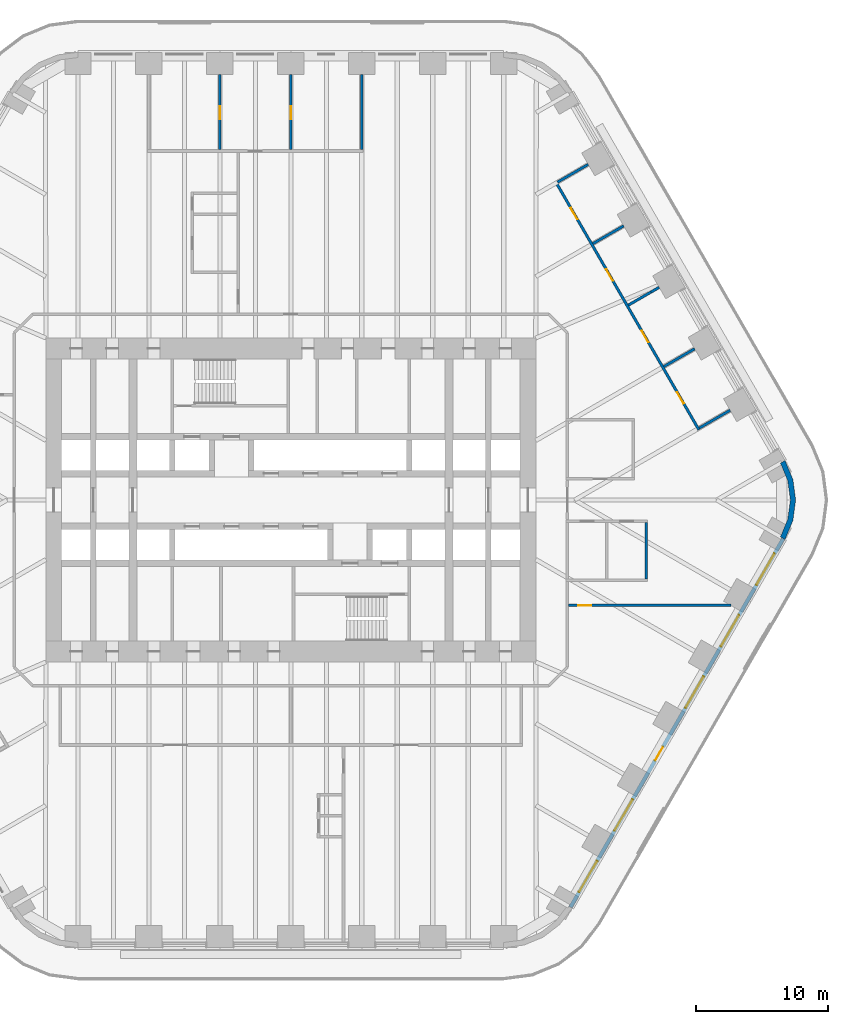
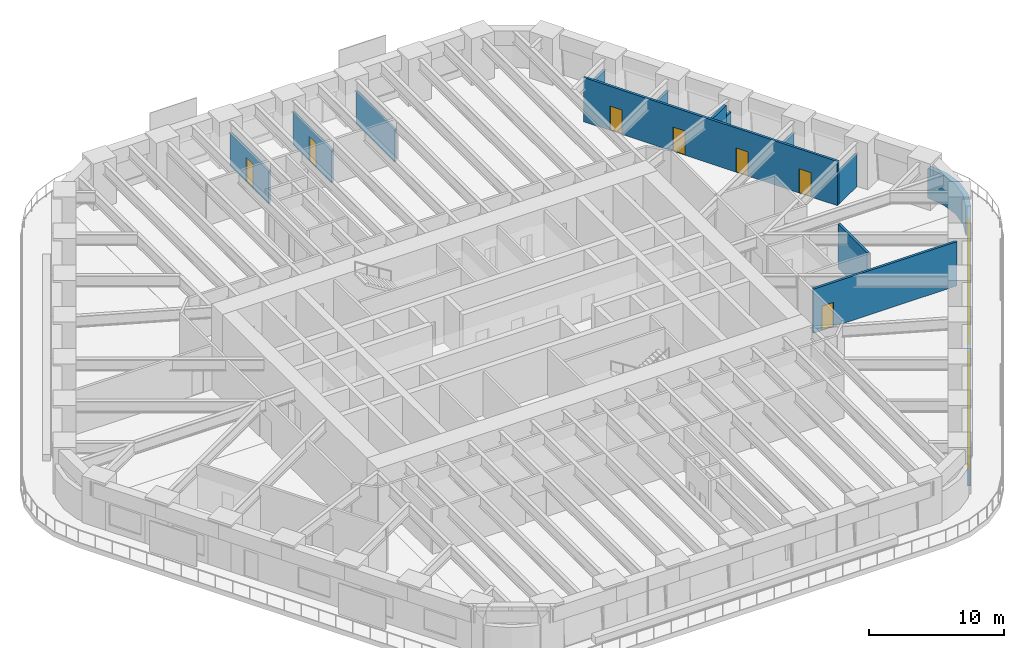
# One storey, part 20 of 24: 14 walls, 8 doors, 5 windows, 13 openings.
"""IFC4 building model written with IfcOpenShell, lengths in metres."""

from ifc_helpers import new_model, si_unit, direction, frame, frame_2d, origin, place, context, subcontext, project, spatial, polyline, rectangle, outline, extrude, material, layer, layer_set, type_object, element, fill, save


model = new_model("IFC4")

# Units and contexts
model_context = context("Model", 3, precision=1e-05, world=origin(), true_north=direction((0.0, 1.0)))
body_context = subcontext(model_context, "Body", "Model", "MODEL_VIEW")
ifc_project = project(units=[si_unit("LENGTHUNIT", "METRE"), si_unit("AREAUNIT", "SQUARE_METRE"), si_unit("VOLUMEUNIT", "CUBIC_METRE"), si_unit("PLANEANGLEUNIT", "RADIAN"), si_unit("MASSUNIT", "GRAM", prefix="KILO")], contexts=[model_context])

# Site, building, storey
site_placement = place(None, origin())
site = spatial("IfcSite", under=ifc_project, at=site_placement, CompositionType="ELEMENT")
building_placement = place(site_placement, origin())
building = spatial("IfcBuilding", under=site, at=building_placement, Name="Tarfa Lantern Tower", CompositionType="ELEMENT")
storey_placement = place(building_placement, frame((0.0, 0.0, 73.89990234375)))
storey = spatial("IfcBuildingStorey", under=building, at=storey_placement, Name="L16", CompositionType="ELEMENT", Elevation=73.89990234375)

# Wall, openings, door, windows
ifc_material_1 = material(Name="Limestone cladding on blockwork", Category="masonry")
ifc_layer_1 = layer(ifc_material_1, 0.300048828125)
ifc_layer_set_1 = layer_set([ifc_layer_1], Name="EW1 STONE-CLAD WALL 300")
wall_type_1 = type_object("IfcWallType", Name="EW1 STONE-CLAD WALL 300", PredefinedType="SOLIDWALL", material=ifc_layer_set_1)
wall_1_placement = place(storey_placement, frame((21.232177734375, -30.925048828125, 0.0), z_axis=(0.0, 0.0, 1.0), x_axis=(0.499999163675, 0.866025886636, 0.0)))
wall_1 = element("IfcWall", 1, at=wall_1_placement, inside=storey, type_object=wall_type_1, Name="Stone wall SE", PredefinedType="SOLIDWALL", context=body_context, shape_type="SweptSolid", body=[
    extrude(rectangle(XDim=32.33154296875, YDim=0.300048828125, at=frame_2d((16.165771484375, 0.0))), origin(), (0.0, 0.0, 1.0), 2.7001953125),
])
opening_1_placement = place(wall_1_placement, frame((1.3193359375, 0.0, 0.60009765625)))
opening_1 = element("IfcOpeningElement", 2, at=opening_1_placement, cuts=wall_1, Name="Opening W2", PredefinedType="OPENING", context=body_context, shape_type="SweptSolid", body=[
    extrude(rectangle(XDim=2.75, YDim=1.85009765625, at=frame_2d((1.375, 0.925048828125))), frame((0.0, 0.159912109375, 0.0), z_axis=(0.0, -1.0, 0.0), x_axis=(1.0, 0.0, 0.0)), (0.0, 0.0, 1.0), 0.320068359375),
])
opening_2_placement = place(wall_1_placement, frame((6.7080078125, 0.0, 0.60009765625)))
opening_2 = element("IfcOpeningElement", 3, at=opening_2_placement, cuts=wall_1, Name="Opening W2", PredefinedType="OPENING", context=body_context, shape_type="SweptSolid", body=[
    extrude(rectangle(XDim=2.75, YDim=1.85009765625, at=frame_2d((1.375, 0.925048828125))), frame((0.0, 0.159912109375, 0.0), z_axis=(0.0, -1.0, 0.0), x_axis=(1.0, 0.0, 0.0)), (0.0, 0.0, 1.0), 0.320068359375),
])
opening_3_placement = place(wall_1_placement, frame((12.87158203125, 0.0, 0.0)))
opening_3 = element("IfcOpeningElement", 4, at=opening_3_placement, cuts=wall_1, Name="Opening D55", PredefinedType="OPENING", context=body_context, shape_type="SweptSolid", body=[
    extrude(rectangle(XDim=1.199951171875, YDim=2.39990234375, at=frame_2d((0.60009765625, 1.199951171875))), frame((0.0, 0.159912109375, 0.0), z_axis=(0.0, -1.0, 0.0), x_axis=(1.0, 0.0, 0.0)), (0.0, 0.0, 1.0), 0.320068359375),
])
opening_4_placement = place(wall_1_placement, frame((17.485107421875, 0.0, 0.60009765625)))
opening_4 = element("IfcOpeningElement", 5, at=opening_4_placement, cuts=wall_1, Name="Opening W2", PredefinedType="OPENING", context=body_context, shape_type="SweptSolid", body=[
    extrude(rectangle(XDim=2.75, YDim=1.85009765625, at=frame_2d((1.375, 0.925048828125))), frame((0.0, 0.159912109375, 0.0), z_axis=(0.0, -1.0, 0.0), x_axis=(1.0, 0.0, 0.0)), (0.0, 0.0, 1.0), 0.320068359375),
])
opening_5_placement = place(wall_1_placement, frame((22.873779296875, 0.0, 0.60009765625)))
opening_5 = element("IfcOpeningElement", 6, at=opening_5_placement, cuts=wall_1, Name="Opening W2", PredefinedType="OPENING", context=body_context, shape_type="SweptSolid", body=[
    extrude(rectangle(XDim=2.75, YDim=1.85009765625, at=frame_2d((1.375, 0.925048828125))), frame((0.0, 0.159912109375, 0.0), z_axis=(0.0, -1.0, 0.0), x_axis=(1.0, 0.0, 0.0)), (0.0, 0.0, 1.0), 0.320068359375),
])
opening_6_placement = place(wall_1_placement, frame((28.26220703125, 0.0, 0.60009765625)))
opening_6 = element("IfcOpeningElement", 7, at=opening_6_placement, cuts=wall_1, Name="Opening W2", PredefinedType="OPENING", context=body_context, shape_type="SweptSolid", body=[
    extrude(rectangle(XDim=2.75, YDim=1.85009765625, at=frame_2d((1.375, 0.925048828125))), frame((0.0, 0.159912109375, 0.0), z_axis=(0.0, -1.0, 0.0), x_axis=(1.0, 0.0, 0.0)), (0.0, 0.0, 1.0), 0.320068359375),
])
ifc_material_2 = material(Name="Aluminium framed glazed door", Category="aluminium")
door_type_1 = type_object("IfcDoorType", Name="BE3 BALCONY DOOR 1200x2400", OperationType="SINGLE_SWING_RIGHT", PredefinedType="DOOR", material=ifc_material_2)
door_1_placement = place(opening_3_placement, origin())
door_1 = element("IfcDoor", 8, at=door_1_placement, inside=storey, type_object=door_type_1, Name="Balcony door SE", OperationType="SINGLE_SWING_RIGHT", OverallHeight=2.39990234375, OverallWidth=1.199951171875, PredefinedType="DOOR", context=body_context, shape_type="SweptSolid", body=[
    extrude(rectangle(XDim=1.199951171875, YDim=2.39990234375, at=frame_2d((0.60009765625, 1.199951171875))), frame((0.0, 0.02490234375, 0.0), z_axis=(0.0, -1.0, 0.0), x_axis=(1.0, 0.0, 0.0)), (0.0, 0.0, 1.0), 0.050048828125),
])
fill(opening_3, door_1)
ifc_material_3 = material(Name="Aluminium frame, double glazed", Category="aluminium")
window_type = type_object("IfcWindowType", Name="W2 FULL-HEIGHT GLAZING 2750x1850", PartitioningType="SINGLE_PANEL", PredefinedType="WINDOW", material=ifc_material_3)
window_1_placement = place(opening_1_placement, origin())
window_1 = element("IfcWindow", 9, at=window_1_placement, inside=storey, type_object=window_type, Name="Window SE 1", OverallHeight=1.85009765625, OverallWidth=2.75, PartitioningType="SINGLE_PANEL", PredefinedType="WINDOW", context=body_context, shape_type="SweptSolid", body=[
    extrude(rectangle(XDim=2.75, YDim=1.85009765625, at=frame_2d((1.375, 0.925048828125))), frame((0.0, 0.030029296875, 0.0), z_axis=(0.0, -1.0, 0.0), x_axis=(1.0, 0.0, 0.0)), (0.0, 0.0, 1.0), 0.06005859375),
])
fill(opening_1, window_1)
window_2_placement = place(opening_2_placement, origin())
window_2 = element("IfcWindow", 10, at=window_2_placement, inside=storey, type_object=window_type, Name="Window SE 2", OverallHeight=1.85009765625, OverallWidth=2.75, PartitioningType="SINGLE_PANEL", PredefinedType="WINDOW", context=body_context, shape_type="SweptSolid", body=[
    extrude(rectangle(XDim=2.75, YDim=1.85009765625, at=frame_2d((1.375, 0.925048828125))), frame((0.0, 0.030029296875, 0.0), z_axis=(0.0, -1.0, 0.0), x_axis=(1.0, 0.0, 0.0)), (0.0, 0.0, 1.0), 0.06005859375),
])
fill(opening_2, window_2)
window_3_placement = place(opening_4_placement, origin())
window_3 = element("IfcWindow", 11, at=window_3_placement, inside=storey, type_object=window_type, Name="Window SE 4", OverallHeight=1.85009765625, OverallWidth=2.75, PartitioningType="SINGLE_PANEL", PredefinedType="WINDOW", context=body_context, shape_type="SweptSolid", body=[
    extrude(rectangle(XDim=2.75, YDim=1.85009765625, at=frame_2d((1.375, 0.925048828125))), frame((0.0, 0.030029296875, 0.0), z_axis=(0.0, -1.0, 0.0), x_axis=(1.0, 0.0, 0.0)), (0.0, 0.0, 1.0), 0.06005859375),
])
fill(opening_4, window_3)
window_4_placement = place(opening_5_placement, origin())
window_4 = element("IfcWindow", 12, at=window_4_placement, inside=storey, type_object=window_type, Name="Window SE 5", OverallHeight=1.85009765625, OverallWidth=2.75, PartitioningType="SINGLE_PANEL", PredefinedType="WINDOW", context=body_context, shape_type="SweptSolid", body=[
    extrude(rectangle(XDim=2.75, YDim=1.85009765625, at=frame_2d((1.375, 0.925048828125))), frame((0.0, 0.030029296875, 0.0), z_axis=(0.0, -1.0, 0.0), x_axis=(1.0, 0.0, 0.0)), (0.0, 0.0, 1.0), 0.06005859375),
])
fill(opening_5, window_4)
window_5_placement = place(opening_6_placement, origin())
window_5 = element("IfcWindow", 13, at=window_5_placement, inside=storey, type_object=window_type, Name="Window SE 6", OverallHeight=1.85009765625, OverallWidth=2.75, PartitioningType="SINGLE_PANEL", PredefinedType="WINDOW", context=body_context, shape_type="SweptSolid", body=[
    extrude(rectangle(XDim=2.75, YDim=1.85009765625, at=frame_2d((1.375, 0.925048828125))), frame((0.0, 0.030029296875, 0.0), z_axis=(0.0, -1.0, 0.0), x_axis=(1.0, 0.0, 0.0)), (0.0, 0.0, 1.0), 0.06005859375),
])
fill(opening_6, window_5)

# Walls
ifc_layer_2 = layer(ifc_material_1, 0.39990234375)
ifc_layer_set_2 = layer_set([ifc_layer_2], Name="EW2 CURVED STONE CORNER 400")
wall_type_2 = type_object("IfcWallType", Name="EW2 CURVED STONE CORNER 400", PredefinedType="SOLIDWALL", material=ifc_layer_set_2)
wall_2_placement = place(storey_placement, origin())
element("IfcWall", 14, at=wall_2_placement, inside=storey, type_object=wall_type_2, Name="Stone corner SE-NE", PredefinedType="SOLIDWALL", context=body_context, shape_type="SweptSolid", body=[
    extrude(outline(polyline([(37.52783203125, -3.0), (38.127197265625, -1.552978515625), (38.33154296875, 0.0), (38.127197265625, 1.552978515625), (37.52783203125, 3.0), (37.181396484375, 2.800048828125), (37.74072265625, 1.449462890625), (37.931640625, 0.0), (37.74072265625, -1.449462890625), (37.181396484375, -2.800048828125), (37.52783203125, -3.0)])), origin(), (0.0, 0.0, 1.0), 2.7001953125),
])
ifc_material_4 = material(Name="Gypsum board on steel studs", Category="steel")
ifc_layer_3 = layer(ifc_material_4, 0.2099609375)
ifc_layer_set_3 = layer_set([ifc_layer_3], Name="IW2 ACOUSTIC PARTITION 200")
wall_type_3 = type_object("IfcWallType", Name="IW2 ACOUSTIC PARTITION 200", PredefinedType="PARTITIONING", material=ifc_layer_set_3)
wall_3_placement = place(storey_placement, frame((5.388671875, 26.60009765625, 0.0), z_axis=(0.0, 0.0, 1.0), x_axis=(0.0, 1.0, 0.0)))
element("IfcWall", 15, at=wall_3_placement, inside=storey, type_object=wall_type_3, Name="Partition", PredefinedType="PARTITIONING", context=body_context, shape_type="SweptSolid", body=[
    extrude(rectangle(XDim=5.699951171875, YDim=0.199951171875, at=frame_2d((2.85009765625, 0.0))), origin(), (0.0, 0.0, 1.0), 2.944091796875),
])

# Wall, opening, door
wall_4_placement = place(storey_placement, frame((0.0, 26.60009765625, 0.0), z_axis=(0.0, 0.0, 1.0), x_axis=(0.0, 1.0, 0.0)))
wall_4 = element("IfcWall", 16, at=wall_4_placement, inside=storey, type_object=wall_type_3, Name="Partition", PredefinedType="PARTITIONING", context=body_context, shape_type="SweptSolid", body=[
    extrude(rectangle(XDim=5.699951171875, YDim=0.199951171875, at=frame_2d((2.85009765625, 0.0))), origin(), (0.0, 0.0, 1.0), 2.944091796875),
])
opening_7_placement = place(wall_4_placement, frame((2.300048828125, 0.0, 0.0)))
opening_7 = element("IfcOpeningElement", 17, at=opening_7_placement, cuts=wall_4, Name="Opening D32", PredefinedType="OPENING", context=body_context, shape_type="SweptSolid", body=[
    extrude(rectangle(XDim=1.0, YDim=2.199951171875, at=frame_2d((0.5, 1.10009765625))), frame((0.0, 0.10986328125, 0.0), z_axis=(0.0, -1.0, 0.0), x_axis=(1.0, 0.0, 0.0)), (0.0, 0.0, 1.0), 0.219970703125),
])
ifc_material_5 = material(Name="Timber door", Category="wood")
door_type_2 = type_object("IfcDoorType", Name="DR1 ROOM DOOR 1000x2200", OperationType="SINGLE_SWING_LEFT", PredefinedType="DOOR", material=ifc_material_5)
door_2_placement = place(opening_7_placement, origin())
door_2 = element("IfcDoor", 18, at=door_2_placement, inside=storey, type_object=door_type_2, Name="Negotiation room door", OperationType="SINGLE_SWING_RIGHT", OverallHeight=2.199951171875, OverallWidth=1.0, PredefinedType="DOOR", context=body_context, shape_type="SweptSolid", body=[
    extrude(rectangle(XDim=1.0, YDim=2.199951171875, at=frame_2d((0.5, 1.10009765625))), frame((0.0, 0.02490234375, 0.0), z_axis=(0.0, -1.0, 0.0), x_axis=(1.0, 0.0, 0.0)), (0.0, 0.0, 1.0), 0.050048828125),
])
fill(opening_7, door_2)

wall_5_placement = place(storey_placement, frame((-5.388671875, 26.60009765625, 0.0), z_axis=(0.0, 0.0, 1.0), x_axis=(0.0, 1.0, 0.0)))
wall_5 = element("IfcWall", 19, at=wall_5_placement, inside=storey, type_object=wall_type_3, Name="Partition", PredefinedType="PARTITIONING", context=body_context, shape_type="SweptSolid", body=[
    extrude(rectangle(XDim=5.699951171875, YDim=0.199951171875, at=frame_2d((2.85009765625, 0.0))), origin(), (0.0, 0.0, 1.0), 2.944091796875),
])
opening_8_placement = place(wall_5_placement, frame((2.300048828125, 0.0, 0.0)))
opening_8 = element("IfcOpeningElement", 20, at=opening_8_placement, cuts=wall_5, Name="Opening D34", PredefinedType="OPENING", context=body_context, shape_type="SweptSolid", body=[
    extrude(rectangle(XDim=1.0, YDim=2.199951171875, at=frame_2d((0.5, 1.10009765625))), frame((0.0, 0.10986328125, 0.0), z_axis=(0.0, -1.0, 0.0), x_axis=(1.0, 0.0, 0.0)), (0.0, 0.0, 1.0), 0.219970703125),
])
door_3_placement = place(opening_8_placement, origin())
door_3 = element("IfcDoor", 21, at=door_3_placement, inside=storey, type_object=door_type_2, Name="Negotiation room door", OperationType="SINGLE_SWING_RIGHT", OverallHeight=2.199951171875, OverallWidth=1.0, PredefinedType="DOOR", context=body_context, shape_type="SweptSolid", body=[
    extrude(rectangle(XDim=1.0, YDim=2.199951171875, at=frame_2d((0.5, 1.10009765625))), frame((0.0, 0.02490234375, 0.0), z_axis=(0.0, -1.0, 0.0), x_axis=(1.0, 0.0, 0.0)), (0.0, 0.0, 1.0), 0.050048828125),
])
fill(opening_8, door_3)

# Wall, openings, doors
wall_6_placement = place(storey_placement, frame((30.986328125, 5.330078125, 0.0), z_axis=(0.0, 0.0, 1.0), x_axis=(-0.500000289772, 0.866025236485, 0.0)))
wall_6 = element("IfcWall", 22, at=wall_6_placement, inside=storey, type_object=wall_type_3, Name="Partition", PredefinedType="PARTITIONING", context=body_context, shape_type="SweptSolid", body=[
    extrude(rectangle(XDim=21.75439453125, YDim=0.199951171875, at=frame_2d((10.877197265625, 0.0))), origin(), (0.0, 0.0, 1.0), 4.0),
])
opening_9_placement = place(wall_6_placement, frame((2.294189453125, 0.0, 0.0)))
opening_9 = element("IfcOpeningElement", 23, at=opening_9_placement, cuts=wall_6, Name="Opening D35", PredefinedType="OPENING", context=body_context, shape_type="SweptSolid", body=[
    extrude(rectangle(XDim=1.0, YDim=2.199951171875, at=frame_2d((0.5, 1.10009765625))), frame((0.0, 0.10986328125, 0.0), z_axis=(0.0, -1.0, 0.0), x_axis=(1.0, 0.0, 0.0)), (0.0, 0.0, 1.0), 0.219970703125),
])
opening_10_placement = place(wall_6_placement, frame((7.682861328125, 0.0, 0.0)))
opening_10 = element("IfcOpeningElement", 24, at=opening_10_placement, cuts=wall_6, Name="Opening D36", PredefinedType="OPENING", context=body_context, shape_type="SweptSolid", body=[
    extrude(rectangle(XDim=1.0, YDim=2.199951171875, at=frame_2d((0.5, 1.10009765625))), frame((0.0, 0.10986328125, 0.0), z_axis=(0.0, -1.0, 0.0), x_axis=(1.0, 0.0, 0.0)), (0.0, 0.0, 1.0), 0.219970703125),
])
opening_11_placement = place(wall_6_placement, frame((13.071533203125, 0.0, 0.0)))
opening_11 = element("IfcOpeningElement", 25, at=opening_11_placement, cuts=wall_6, Name="Opening D37", PredefinedType="OPENING", context=body_context, shape_type="SweptSolid", body=[
    extrude(rectangle(XDim=1.0, YDim=2.199951171875, at=frame_2d((0.5, 1.10009765625))), frame((0.0, 0.10986328125, 0.0), z_axis=(0.0, -1.0, 0.0), x_axis=(1.0, 0.0, 0.0)), (0.0, 0.0, 1.0), 0.219970703125),
])
opening_12_placement = place(wall_6_placement, frame((18.460205078125, 0.0, 0.0)))
opening_12 = element("IfcOpeningElement", 26, at=opening_12_placement, cuts=wall_6, Name="Opening D38", PredefinedType="OPENING", context=body_context, shape_type="SweptSolid", body=[
    extrude(rectangle(XDim=1.0, YDim=2.199951171875, at=frame_2d((0.5, 1.10009765625))), frame((0.0, 0.10986328125, 0.0), z_axis=(0.0, -1.0, 0.0), x_axis=(1.0, 0.0, 0.0)), (0.0, 0.0, 1.0), 0.219970703125),
])
door_4_placement = place(opening_9_placement, frame((1.0, 0.0, 0.0), z_axis=(0.0, 0.0, 1.0), x_axis=(-1.0, 0.0, 0.0)))
door_4 = element("IfcDoor", 27, at=door_4_placement, inside=storey, type_object=door_type_2, Name="Buyer's office door", OperationType="SINGLE_SWING_LEFT", OverallHeight=2.199951171875, OverallWidth=1.0, PredefinedType="DOOR", context=body_context, shape_type="SweptSolid", body=[
    extrude(rectangle(XDim=1.0, YDim=2.199951171875, at=frame_2d((0.5, 1.10009765625))), frame((0.0, 0.02490234375, 0.0), z_axis=(0.0, -1.0, 0.0), x_axis=(1.0, 0.0, 0.0)), (0.0, 0.0, 1.0), 0.050048828125),
])
fill(opening_9, door_4)
door_5_placement = place(opening_10_placement, frame((1.0, 0.0, 0.0), z_axis=(0.0, 0.0, 1.0), x_axis=(-1.0, 0.0, 0.0)))
door_5 = element("IfcDoor", 28, at=door_5_placement, inside=storey, type_object=door_type_2, Name="Buyer's office door", OperationType="SINGLE_SWING_LEFT", OverallHeight=2.199951171875, OverallWidth=1.0, PredefinedType="DOOR", context=body_context, shape_type="SweptSolid", body=[
    extrude(rectangle(XDim=1.0, YDim=2.199951171875, at=frame_2d((0.5, 1.10009765625))), frame((0.0, 0.02490234375, 0.0), z_axis=(0.0, -1.0, 0.0), x_axis=(1.0, 0.0, 0.0)), (0.0, 0.0, 1.0), 0.050048828125),
])
fill(opening_10, door_5)
door_6_placement = place(opening_11_placement, frame((1.0, 0.0, 0.0), z_axis=(0.0, 0.0, 1.0), x_axis=(-1.0, 0.0, 0.0)))
door_6 = element("IfcDoor", 29, at=door_6_placement, inside=storey, type_object=door_type_2, Name="Buyer's office door", OperationType="SINGLE_SWING_RIGHT", OverallHeight=2.199951171875, OverallWidth=1.0, PredefinedType="DOOR", context=body_context, shape_type="SweptSolid", body=[
    extrude(rectangle(XDim=1.0, YDim=2.199951171875, at=frame_2d((0.5, 1.10009765625))), frame((0.0, 0.02490234375, 0.0), z_axis=(0.0, -1.0, 0.0), x_axis=(1.0, 0.0, 0.0)), (0.0, 0.0, 1.0), 0.050048828125),
])
fill(opening_11, door_6)
door_7_placement = place(opening_12_placement, frame((1.0, 0.0, 0.0), z_axis=(0.0, 0.0, 1.0), x_axis=(-1.0, 0.0, 0.0)))
door_7 = element("IfcDoor", 30, at=door_7_placement, inside=storey, type_object=door_type_2, Name="Buyer's office door", OperationType="SINGLE_SWING_RIGHT", OverallHeight=2.199951171875, OverallWidth=1.0, PredefinedType="DOOR", context=body_context, shape_type="SweptSolid", body=[
    extrude(rectangle(XDim=1.0, YDim=2.199951171875, at=frame_2d((0.5, 1.10009765625))), frame((0.0, 0.02490234375, 0.0), z_axis=(0.0, -1.0, 0.0), x_axis=(1.0, 0.0, 0.0)), (0.0, 0.0, 1.0), 0.050048828125),
])
fill(opening_12, door_7)

# Walls
for number, where, z_axis, x_axis, name in (
    (31, (31.02294921875, 5.466552734375, 0.0), (0.0, 0.0, 1.0), (0.866019956843, 0.50000943426, 0.0), "Partition"),
    (32, (28.32861328125, 10.13330078125, 0.0), (0.0, 0.0, 1.0), (0.866019956843, 0.50000943426, 0.0), "Partition"),
):
    element("IfcWall", number, at=place(storey_placement, frame(where, z_axis=z_axis, x_axis=x_axis)), inside=storey, type_object=wall_type_3, Name=name, PredefinedType="PARTITIONING", context=body_context, shape_type="SweptSolid", body=[
        extrude(rectangle(XDim=2.7001953125, YDim=0.199951171875, at=frame_2d((1.35009765625, 0.0))), origin(), (0.0, 0.0, 1.0), 2.944091796875),
    ])
wall_7_placement = place(storey_placement, frame((25.63427734375, 14.800048828125, 0.0), z_axis=(0.0, 0.0, 1.0), x_axis=(0.866038008192, 0.49997816789, 0.0)))
element("IfcWall", 33, at=wall_7_placement, inside=storey, type_object=wall_type_3, Name="Partition", PredefinedType="PARTITIONING", context=body_context, shape_type="SweptSolid", body=[
    extrude(rectangle(XDim=1.9833984375, YDim=0.199951171875, at=frame_2d((0.99169921875, 0.0))), origin(), (0.0, 0.0, 1.0), 4.0),
])
wall_8_placement = place(storey_placement, frame((27.35205078125, 15.791748046875, 0.0), z_axis=(0.0, 0.0, 1.0), x_axis=(0.866117509073, 0.499840435016, 0.0)))
element("IfcWall", 34, at=wall_8_placement, inside=storey, type_object=wall_type_3, Name="Partition", PredefinedType="PARTITIONING", context=body_context, shape_type="SweptSolid", body=[
    extrude(rectangle(XDim=0.716552734375, YDim=0.199951171875, at=frame_2d((0.3583984375, 0.0))), origin(), (0.0, 0.0, 1.0), 2.991943359375),
])
wall_9_placement = place(storey_placement, frame((22.93994140625, 19.466552734375, 0.0), z_axis=(0.0, 0.0, 1.0), x_axis=(0.866019956843, 0.50000943426, 0.0)))
element("IfcWall", 35, at=wall_9_placement, inside=storey, type_object=wall_type_3, Name="Partition", PredefinedType="PARTITIONING", context=body_context, shape_type="SweptSolid", body=[
    extrude(rectangle(XDim=2.7001953125, YDim=0.199951171875, at=frame_2d((1.35009765625, 0.0))), origin(), (0.0, 0.0, 1.0), 2.991943359375),
])
wall_10_placement = place(storey_placement, frame((20.245849609375, 24.13330078125, 0.0), z_axis=(0.0, 0.0, 1.0), x_axis=(0.86599734893, 0.500048589285, 0.0)))
element("IfcWall", 36, at=wall_10_placement, inside=storey, type_object=wall_type_3, Name="Partition", PredefinedType="PARTITIONING", context=body_context, shape_type="SweptSolid", body=[
    extrude(rectangle(XDim=2.699951171875, YDim=0.199951171875, at=frame_2d((1.35009765625, 0.0))), origin(), (0.0, 0.0, 1.0), 2.991943359375),
])
wall_11_placement = place(storey_placement, frame((27.0, -1.699951171875, 0.0), z_axis=(0.0, 0.0, 1.0), x_axis=(0.0, -1.0, 0.0)))
element("IfcWall", 37, at=wall_11_placement, inside=storey, type_object=wall_type_3, Name="Partition", PredefinedType="PARTITIONING", context=body_context, shape_type="SweptSolid", body=[
    extrude(rectangle(XDim=4.300048828125, YDim=0.199951171875, at=frame_2d((2.14990234375, 0.0))), origin(), (0.0, 0.0, 1.0), 4.0),
])

# Wall, opening, door
wall_12_placement = place(storey_placement, frame((21.10009765625, -8.0, 0.0), z_axis=(0.0, 0.0, 1.0), x_axis=(1.0, 0.0, 0.0)))
wall_12 = element("IfcWall", 38, at=wall_12_placement, inside=storey, type_object=wall_type_3, Name="Partition", PredefinedType="PARTITIONING", context=body_context, shape_type="SweptSolid", body=[
    extrude(rectangle(XDim=12.310791015625, YDim=0.199951171875, at=frame_2d((6.1552734375, 0.0))), origin(), (0.0, 0.0, 1.0), 4.0),
])
opening_13_placement = place(wall_12_placement, frame((0.731201171875, 0.0, 0.0)))
opening_13 = element("IfcOpeningElement", 39, at=opening_13_placement, cuts=wall_12, Name="Opening D50", PredefinedType="OPENING", context=body_context, shape_type="SweptSolid", body=[
    extrude(rectangle(XDim=1.0, YDim=2.199951171875, at=frame_2d((0.5, 1.10009765625))), frame((0.0, 0.10986328125, 0.0), z_axis=(0.0, -1.0, 0.0), x_axis=(1.0, 0.0, 0.0)), (0.0, 0.0, 1.0), 0.219970703125),
])
door_8_placement = place(opening_13_placement, frame((1.0, 0.0, 0.0), z_axis=(0.0, 0.0, 1.0), x_axis=(-1.0, 0.0, 0.0)))
door_8 = element("IfcDoor", 40, at=door_8_placement, inside=storey, type_object=door_type_2, Name="Zone door", OperationType="SINGLE_SWING_LEFT", OverallHeight=2.199951171875, OverallWidth=1.0, PredefinedType="DOOR", context=body_context, shape_type="SweptSolid", body=[
    extrude(rectangle(XDim=1.0, YDim=2.199951171875, at=frame_2d((0.5, 1.10009765625))), frame((0.0, 0.02490234375, 0.0), z_axis=(0.0, -1.0, 0.0), x_axis=(1.0, 0.0, 0.0)), (0.0, 0.0, 1.0), 0.050048828125),
])
fill(opening_13, door_8)

save(model, "model.ifc")
